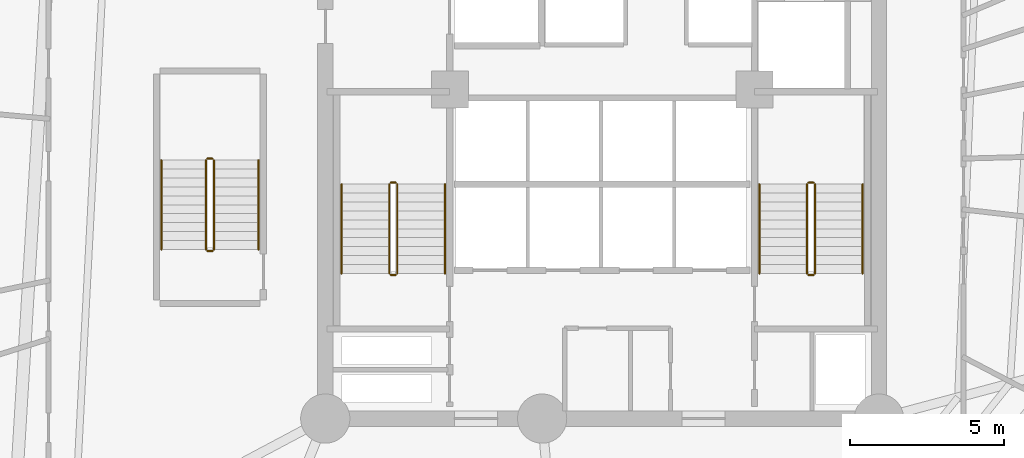
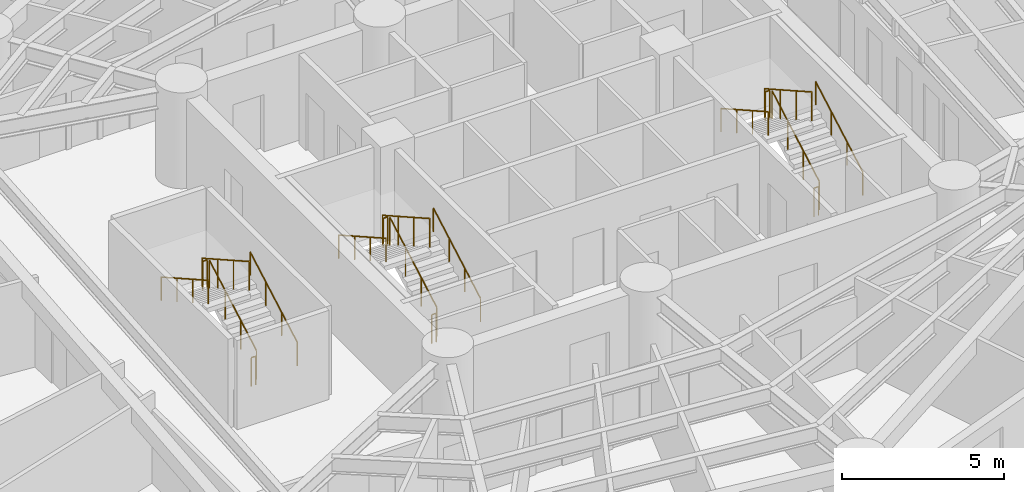
# One storey, part 8 of 8: 18 railings.
"""IFC4 building model written with IfcOpenShell, lengths in metres."""

from ifc_helpers import new_model, si_unit, direction, frame, origin, origin_2d, place, context, subcontext, project, spatial, circle, extrude, material, layer, layer_set, type_object, element, save


model = new_model("IFC4")

# Units and contexts
model_context = context("Model", 3, precision=1e-05, world=origin(), true_north=direction((0.0, 1.0)))
body_context = subcontext(model_context, "Body", "Model", "MODEL_VIEW")
ifc_project = project(units=[si_unit("LENGTHUNIT", "METRE"), si_unit("AREAUNIT", "SQUARE_METRE"), si_unit("VOLUMEUNIT", "CUBIC_METRE"), si_unit("PLANEANGLEUNIT", "RADIAN"), si_unit("MASSUNIT", "GRAM", prefix="KILO")], contexts=[model_context])

# Site, building, storey
site_placement = place(None, origin())
site = spatial("IfcSite", under=ifc_project, at=site_placement, CompositionType="ELEMENT")
building_placement = place(site_placement, origin())
building = spatial("IfcBuilding", under=site, at=building_placement, Name="Karkom Vertical University and Central Library", CompositionType="ELEMENT")
storey_placement = place(building_placement, frame((0.0, 0.0, 37.300048828125)))
storey = spatial("IfcBuildingStorey", under=building, at=storey_placement, Name="L09", CompositionType="ELEMENT", Elevation=37.300048828125)

# Railings
ifc_material_1 = material(Name="Painted galvanised steel balustrade", Category="steel")
ifc_layer_1 = layer(ifc_material_1, 0.06005859375)
ifc_layer_set_1 = layer_set([ifc_layer_1], Name="Painted galvanised steel balustrade")
railing_type_1 = type_object("IfcRailingType", Name="INT-RL-GUARD1100", PredefinedType="GUARDRAIL", material=ifc_layer_set_1)
railing_1_placement = place(storey_placement, frame((21.840087890625, 23.02001953125, 0.16357421875)))
element("IfcRailing", 1, at=railing_1_placement, inside=storey, type_object=railing_type_1, Name="Level 09 ST-1 stair guard 1", PredefinedType="GUARDRAIL", context=body_context, shape_type="SweptSolid", body=[
    extrude(circle(Radius=0.02392578125, at=origin_2d()), frame((0.0, 0.0, 1.076171875), z_axis=(0.0, 0.870897200241, 0.491465224214), x_axis=(-1.0, 0.0, 0.0)), (0.0, 0.0, 1.0), 3.329833984375),
    extrude(circle(Radius=0.02099609375, at=origin_2d()), origin(), (0.0, 0.0, 1.0), 1.052001953125),
    extrude(circle(Radius=0.02099609375, at=origin_2d()), frame((0.0, 0.966552734375, 0.54541015625)), (0.0, 0.0, 1.0), 1.052001953125),
    extrude(circle(Radius=0.02099609375, at=origin_2d()), frame((0.0, 1.933349609375, 1.091064453125)), (0.0, 0.0, 1.0), 1.052001953125),
    extrude(circle(Radius=0.02099609375, at=origin_2d()), frame((0.0, 2.89990234375, 1.636474609375)), (0.0, 0.0, 1.0), 1.052001953125),
])
railing_2_placement = place(storey_placement, frame((21.7900390625, 25.969970703125, 1.800048828125)))
element("IfcRailing", 2, at=railing_2_placement, inside=storey, type_object=railing_type_1, Name="Level 09 ST-1 stair guard 2", PredefinedType="GUARDRAIL", context=body_context, shape_type="SweptSolid", body=[
    extrude(circle(Radius=0.02392578125, at=origin_2d()), frame((0.0, 0.0, 1.076171875), z_axis=(-1.0, 0.0, 0.0), x_axis=(0.0, -1.0, 0.0)), (0.0, 0.0, 1.0), 0.16015625),
    extrude(circle(Radius=0.02099609375, at=origin_2d()), origin(), (0.0, 0.0, 1.0), 1.052001953125),
    extrude(circle(Radius=0.02099609375, at=origin_2d()), frame((-0.16015625, 0.0, 0.0)), (0.0, 0.0, 1.0), 1.052001953125),
])
railing_3_placement = place(storey_placement, frame((21.580078125, 25.919921875, 1.963623046875)))
element("IfcRailing", 3, at=railing_3_placement, inside=storey, type_object=railing_type_1, Name="Level 09 ST-1 stair guard 3", PredefinedType="GUARDRAIL", context=body_context, shape_type="SweptSolid", body=[
    extrude(circle(Radius=0.02392578125, at=origin_2d()), frame((0.0, 0.0, 1.076171875), z_axis=(0.0, -0.870928581787, 0.491409610636), x_axis=(1.0, 0.0, 0.0)), (0.0, 0.0, 1.0), 3.32958984375),
    extrude(circle(Radius=0.02099609375, at=origin_2d()), origin(), (0.0, 0.0, 1.0), 1.052001953125),
    extrude(circle(Radius=0.02099609375, at=origin_2d()), frame((0.0, -0.966552734375, 0.54541015625)), (0.0, 0.0, 1.0), 1.052001953125),
    extrude(circle(Radius=0.02099609375, at=origin_2d()), frame((0.0, -1.933349609375, 1.0908203125)), (0.0, 0.0, 1.0), 1.052001953125),
    extrude(circle(Radius=0.02099609375, at=origin_2d()), frame((0.0, -2.89990234375, 1.63623046875)), (0.0, 0.0, 1.0), 1.052001953125),
])
railing_4_placement = place(storey_placement, frame((21.7900390625, 22.969970703125, 0.0)))
element("IfcRailing", 4, at=railing_4_placement, inside=storey, type_object=railing_type_1, Name="Level 09 ST-1 stair guard 4", PredefinedType="GUARDRAIL", context=body_context, shape_type="SweptSolid", body=[
    extrude(circle(Radius=0.02392578125, at=origin_2d()), frame((0.0, 0.0, 1.076171875), z_axis=(-1.0, 0.0, 0.0), x_axis=(0.0, -1.0, 0.0)), (0.0, 0.0, 1.0), 0.16015625),
    extrude(circle(Radius=0.02099609375, at=origin_2d()), origin(), (0.0, 0.0, 1.0), 1.052001953125),
    extrude(circle(Radius=0.02099609375, at=origin_2d()), frame((-0.16015625, 0.0, 0.0)), (0.0, 0.0, 1.0), 1.052001953125),
])
railing_5_placement = place(storey_placement, frame((35.419921875, 23.02001953125, 0.16357421875)))
element("IfcRailing", 5, at=railing_5_placement, inside=storey, type_object=railing_type_1, Name="Level 09 ST-2 stair guard 1", PredefinedType="GUARDRAIL", context=body_context, shape_type="SweptSolid", body=[
    extrude(circle(Radius=0.02392578125, at=origin_2d()), frame((0.0, 0.0, 1.076171875), z_axis=(0.0, 0.870897200241, 0.491465224214), x_axis=(-1.0, 0.0, 0.0)), (0.0, 0.0, 1.0), 3.329833984375),
    extrude(circle(Radius=0.02099609375, at=origin_2d()), origin(), (0.0, 0.0, 1.0), 1.052001953125),
    extrude(circle(Radius=0.02099609375, at=origin_2d()), frame((0.0, 0.966552734375, 0.54541015625)), (0.0, 0.0, 1.0), 1.052001953125),
    extrude(circle(Radius=0.02099609375, at=origin_2d()), frame((0.0, 1.933349609375, 1.091064453125)), (0.0, 0.0, 1.0), 1.052001953125),
    extrude(circle(Radius=0.02099609375, at=origin_2d()), frame((0.0, 2.89990234375, 1.636474609375)), (0.0, 0.0, 1.0), 1.052001953125),
])
railing_6_placement = place(storey_placement, frame((35.3701171875, 25.969970703125, 1.800048828125)))
element("IfcRailing", 6, at=railing_6_placement, inside=storey, type_object=railing_type_1, Name="Level 09 ST-2 stair guard 2", PredefinedType="GUARDRAIL", context=body_context, shape_type="SweptSolid", body=[
    extrude(circle(Radius=0.02392578125, at=origin_2d()), frame((0.0, 0.0, 1.076171875), z_axis=(-1.0, 0.0, 0.0), x_axis=(0.0, -1.0, 0.0)), (0.0, 0.0, 1.0), 0.16015625),
    extrude(circle(Radius=0.02099609375, at=origin_2d()), origin(), (0.0, 0.0, 1.0), 1.052001953125),
    extrude(circle(Radius=0.02099609375, at=origin_2d()), frame((-0.16015625, 0.0, 0.0)), (0.0, 0.0, 1.0), 1.052001953125),
])
railing_7_placement = place(storey_placement, frame((35.159912109375, 25.919921875, 1.963623046875)))
element("IfcRailing", 7, at=railing_7_placement, inside=storey, type_object=railing_type_1, Name="Level 09 ST-2 stair guard 3", PredefinedType="GUARDRAIL", context=body_context, shape_type="SweptSolid", body=[
    extrude(circle(Radius=0.02392578125, at=origin_2d()), frame((0.0, 0.0, 1.076171875), z_axis=(0.0, -0.870928581787, 0.491409610636), x_axis=(1.0, 0.0, 0.0)), (0.0, 0.0, 1.0), 3.32958984375),
    extrude(circle(Radius=0.02099609375, at=origin_2d()), origin(), (0.0, 0.0, 1.0), 1.052001953125),
    extrude(circle(Radius=0.02099609375, at=origin_2d()), frame((0.0, -0.966552734375, 0.54541015625)), (0.0, 0.0, 1.0), 1.052001953125),
    extrude(circle(Radius=0.02099609375, at=origin_2d()), frame((0.0, -1.933349609375, 1.0908203125)), (0.0, 0.0, 1.0), 1.052001953125),
    extrude(circle(Radius=0.02099609375, at=origin_2d()), frame((0.0, -2.89990234375, 1.63623046875)), (0.0, 0.0, 1.0), 1.052001953125),
])
railing_8_placement = place(storey_placement, frame((35.3701171875, 22.969970703125, 0.0)))
element("IfcRailing", 8, at=railing_8_placement, inside=storey, type_object=railing_type_1, Name="Level 09 ST-2 stair guard 4", PredefinedType="GUARDRAIL", context=body_context, shape_type="SweptSolid", body=[
    extrude(circle(Radius=0.02392578125, at=origin_2d()), frame((0.0, 0.0, 1.076171875), z_axis=(-1.0, 0.0, 0.0), x_axis=(0.0, -1.0, 0.0)), (0.0, 0.0, 1.0), 0.16015625),
    extrude(circle(Radius=0.02099609375, at=origin_2d()), origin(), (0.0, 0.0, 1.0), 1.052001953125),
    extrude(circle(Radius=0.02099609375, at=origin_2d()), frame((-0.16015625, 0.0, 0.0)), (0.0, 0.0, 1.0), 1.052001953125),
])
railing_9_placement = place(storey_placement, frame((15.8798828125, 23.800048828125, 0.16357421875)))
element("IfcRailing", 9, at=railing_9_placement, inside=storey, type_object=railing_type_1, Name="Level 09 ST-3 stair guard 1", PredefinedType="GUARDRAIL", context=body_context, shape_type="SweptSolid", body=[
    extrude(circle(Radius=0.02392578125, at=origin_2d()), frame((0.0, 0.0, 1.076171875), z_axis=(0.0, 0.870897200241, 0.491465224214), x_axis=(-1.0, 0.0, 0.0)), (0.0, 0.0, 1.0), 3.329833984375),
    extrude(circle(Radius=0.02099609375, at=origin_2d()), origin(), (0.0, 0.0, 1.0), 1.052001953125),
    extrude(circle(Radius=0.02099609375, at=origin_2d()), frame((0.0, 0.966552734375, 0.54541015625)), (0.0, 0.0, 1.0), 1.052001953125),
    extrude(circle(Radius=0.02099609375, at=origin_2d()), frame((0.0, 1.933349609375, 1.091064453125)), (0.0, 0.0, 1.0), 1.052001953125),
    extrude(circle(Radius=0.02099609375, at=origin_2d()), frame((0.0, 2.89990234375, 1.636474609375)), (0.0, 0.0, 1.0), 1.052001953125),
])
railing_10_placement = place(storey_placement, frame((15.830078125, 26.75, 1.800048828125)))
element("IfcRailing", 10, at=railing_10_placement, inside=storey, type_object=railing_type_1, Name="Level 09 ST-3 stair guard 2", PredefinedType="GUARDRAIL", context=body_context, shape_type="SweptSolid", body=[
    extrude(circle(Radius=0.02392578125, at=origin_2d()), frame((0.0, 0.0, 1.076171875), z_axis=(-1.0, 0.0, 0.0), x_axis=(0.0, -1.0, 0.0)), (0.0, 0.0, 1.0), 0.16015625),
    extrude(circle(Radius=0.02099609375, at=origin_2d()), origin(), (0.0, 0.0, 1.0), 1.052001953125),
    extrude(circle(Radius=0.02099609375, at=origin_2d()), frame((-0.16015625, 0.0, 0.0)), (0.0, 0.0, 1.0), 1.052001953125),
])
railing_11_placement = place(storey_placement, frame((15.6201171875, 26.699951171875, 1.963623046875)))
element("IfcRailing", 11, at=railing_11_placement, inside=storey, type_object=railing_type_1, Name="Level 09 ST-3 stair guard 3", PredefinedType="GUARDRAIL", context=body_context, shape_type="SweptSolid", body=[
    extrude(circle(Radius=0.02392578125, at=origin_2d()), frame((0.0, 0.0, 1.076171875), z_axis=(0.0, -0.870928581787, 0.491409610636), x_axis=(1.0, 0.0, 0.0)), (0.0, 0.0, 1.0), 3.32958984375),
    extrude(circle(Radius=0.02099609375, at=origin_2d()), origin(), (0.0, 0.0, 1.0), 1.052001953125),
    extrude(circle(Radius=0.02099609375, at=origin_2d()), frame((0.0, -0.966552734375, 0.54541015625)), (0.0, 0.0, 1.0), 1.052001953125),
    extrude(circle(Radius=0.02099609375, at=origin_2d()), frame((0.0, -1.933349609375, 1.0908203125)), (0.0, 0.0, 1.0), 1.052001953125),
    extrude(circle(Radius=0.02099609375, at=origin_2d()), frame((0.0, -2.89990234375, 1.63623046875)), (0.0, 0.0, 1.0), 1.052001953125),
])
railing_12_placement = place(storey_placement, frame((15.830078125, 23.75, 0.0)))
element("IfcRailing", 12, at=railing_12_placement, inside=storey, type_object=railing_type_1, Name="Level 09 ST-3 stair guard 4", PredefinedType="GUARDRAIL", context=body_context, shape_type="SweptSolid", body=[
    extrude(circle(Radius=0.02392578125, at=origin_2d()), frame((0.0, 0.0, 1.076171875), z_axis=(-1.0, 0.0, 0.0), x_axis=(0.0, -1.0, 0.0)), (0.0, 0.0, 1.0), 0.16015625),
    extrude(circle(Radius=0.02099609375, at=origin_2d()), origin(), (0.0, 0.0, 1.0), 1.052001953125),
    extrude(circle(Radius=0.02099609375, at=origin_2d()), frame((-0.16015625, 0.0, 0.0)), (0.0, 0.0, 1.0), 1.052001953125),
])
ifc_material_2 = material(Name="Brushed stainless-steel tubular handrail", Category="steel")
ifc_layer_2 = layer(ifc_material_2, 0.048095703125)
ifc_layer_set_2 = layer_set([ifc_layer_2], Name="Brushed stainless-steel tubular handrail")
railing_type_2 = type_object("IfcRailingType", Name="INT-RL-HAND920", PredefinedType="HANDRAIL", material=ifc_layer_set_2)
railing_13_placement = place(storey_placement, frame((23.389892578125, 23.02001953125, 0.16357421875)))
element("IfcRailing", 13, at=railing_13_placement, inside=storey, type_object=railing_type_2, Name="Level 09 ST-1 stair handrail 1", PredefinedType="HANDRAIL", context=body_context, shape_type="SweptSolid", body=[
    extrude(circle(Radius=0.02392578125, at=origin_2d()), frame((0.0, 0.0, 0.8759765625), z_axis=(0.0, 0.870897200241, 0.491465224214), x_axis=(-1.0, 0.0, 0.0)), (0.0, 0.0, 1.0), 3.329833984375),
    extrude(circle(Radius=0.02099609375, at=origin_2d()), origin(), (0.0, 0.0, 1.0), 0.851806640625),
    extrude(circle(Radius=0.02099609375, at=origin_2d()), frame((0.0, 0.966552734375, 0.54541015625)), (0.0, 0.0, 1.0), 0.851806640625),
    extrude(circle(Radius=0.02099609375, at=origin_2d()), frame((0.0, 1.933349609375, 1.091064453125)), (0.0, 0.0, 1.0), 0.851806640625),
    extrude(circle(Radius=0.02099609375, at=origin_2d()), frame((0.0, 2.89990234375, 1.636474609375)), (0.0, 0.0, 1.0), 0.851806640625),
])
railing_14_placement = place(storey_placement, frame((20.030029296875, 25.919921875, 1.963623046875)))
element("IfcRailing", 14, at=railing_14_placement, inside=storey, type_object=railing_type_2, Name="Level 09 ST-1 stair handrail 2", PredefinedType="HANDRAIL", context=body_context, shape_type="SweptSolid", body=[
    extrude(circle(Radius=0.02392578125, at=origin_2d()), frame((0.0, 0.0, 0.8759765625), z_axis=(0.0, -0.870928581787, 0.491409610636), x_axis=(1.0, 0.0, 0.0)), (0.0, 0.0, 1.0), 3.32958984375),
    extrude(circle(Radius=0.02099609375, at=origin_2d()), origin(), (0.0, 0.0, 1.0), 0.851806640625),
    extrude(circle(Radius=0.02099609375, at=origin_2d()), frame((0.0, -0.966552734375, 0.54541015625)), (0.0, 0.0, 1.0), 0.851806640625),
    extrude(circle(Radius=0.02099609375, at=origin_2d()), frame((0.0, -1.933349609375, 1.0908203125)), (0.0, 0.0, 1.0), 0.851806640625),
    extrude(circle(Radius=0.02099609375, at=origin_2d()), frame((0.0, -2.89990234375, 1.63623046875)), (0.0, 0.0, 1.0), 0.851806640625),
])
railing_15_placement = place(storey_placement, frame((36.969970703125, 23.02001953125, 0.16357421875)))
element("IfcRailing", 15, at=railing_15_placement, inside=storey, type_object=railing_type_2, Name="Level 09 ST-2 stair handrail 1", PredefinedType="HANDRAIL", context=body_context, shape_type="SweptSolid", body=[
    extrude(circle(Radius=0.02392578125, at=origin_2d()), frame((0.0, 0.0, 0.8759765625), z_axis=(0.0, 0.870897200241, 0.491465224214), x_axis=(-1.0, 0.0, 0.0)), (0.0, 0.0, 1.0), 3.329833984375),
    extrude(circle(Radius=0.02099609375, at=origin_2d()), origin(), (0.0, 0.0, 1.0), 0.851806640625),
    extrude(circle(Radius=0.02099609375, at=origin_2d()), frame((0.0, 0.966552734375, 0.54541015625)), (0.0, 0.0, 1.0), 0.851806640625),
    extrude(circle(Radius=0.02099609375, at=origin_2d()), frame((0.0, 1.933349609375, 1.091064453125)), (0.0, 0.0, 1.0), 0.851806640625),
    extrude(circle(Radius=0.02099609375, at=origin_2d()), frame((0.0, 2.89990234375, 1.636474609375)), (0.0, 0.0, 1.0), 0.851806640625),
])
railing_16_placement = place(storey_placement, frame((33.610107421875, 25.919921875, 1.963623046875)))
element("IfcRailing", 16, at=railing_16_placement, inside=storey, type_object=railing_type_2, Name="Level 09 ST-2 stair handrail 2", PredefinedType="HANDRAIL", context=body_context, shape_type="SweptSolid", body=[
    extrude(circle(Radius=0.02392578125, at=origin_2d()), frame((0.0, 0.0, 0.8759765625), z_axis=(0.0, -0.870928581787, 0.491409610636), x_axis=(1.0, 0.0, 0.0)), (0.0, 0.0, 1.0), 3.32958984375),
    extrude(circle(Radius=0.02099609375, at=origin_2d()), origin(), (0.0, 0.0, 1.0), 0.851806640625),
    extrude(circle(Radius=0.02099609375, at=origin_2d()), frame((0.0, -0.966552734375, 0.54541015625)), (0.0, 0.0, 1.0), 0.851806640625),
    extrude(circle(Radius=0.02099609375, at=origin_2d()), frame((0.0, -1.933349609375, 1.0908203125)), (0.0, 0.0, 1.0), 0.851806640625),
    extrude(circle(Radius=0.02099609375, at=origin_2d()), frame((0.0, -2.89990234375, 1.63623046875)), (0.0, 0.0, 1.0), 0.851806640625),
])
railing_17_placement = place(storey_placement, frame((17.330078125, 23.800048828125, 0.16357421875)))
element("IfcRailing", 17, at=railing_17_placement, inside=storey, type_object=railing_type_2, Name="Level 09 ST-3 stair handrail 1", PredefinedType="HANDRAIL", context=body_context, shape_type="SweptSolid", body=[
    extrude(circle(Radius=0.02392578125, at=origin_2d()), frame((0.0, 0.0, 0.8759765625), z_axis=(0.0, 0.870897200241, 0.491465224214), x_axis=(-1.0, 0.0, 0.0)), (0.0, 0.0, 1.0), 3.329833984375),
    extrude(circle(Radius=0.02099609375, at=origin_2d()), origin(), (0.0, 0.0, 1.0), 0.851806640625),
    extrude(circle(Radius=0.02099609375, at=origin_2d()), frame((0.0, 0.966552734375, 0.54541015625)), (0.0, 0.0, 1.0), 0.851806640625),
    extrude(circle(Radius=0.02099609375, at=origin_2d()), frame((0.0, 1.933349609375, 1.091064453125)), (0.0, 0.0, 1.0), 0.851806640625),
    extrude(circle(Radius=0.02099609375, at=origin_2d()), frame((0.0, 2.89990234375, 1.636474609375)), (0.0, 0.0, 1.0), 0.851806640625),
])
railing_18_placement = place(storey_placement, frame((14.169921875, 26.699951171875, 1.963623046875)))
element("IfcRailing", 18, at=railing_18_placement, inside=storey, type_object=railing_type_2, Name="Level 09 ST-3 stair handrail 2", PredefinedType="HANDRAIL", context=body_context, shape_type="SweptSolid", body=[
    extrude(circle(Radius=0.02392578125, at=origin_2d()), frame((0.0, 0.0, 0.8759765625), z_axis=(0.0, -0.870928581787, 0.491409610636), x_axis=(1.0, 0.0, 0.0)), (0.0, 0.0, 1.0), 3.32958984375),
    extrude(circle(Radius=0.02099609375, at=origin_2d()), origin(), (0.0, 0.0, 1.0), 0.851806640625),
    extrude(circle(Radius=0.02099609375, at=origin_2d()), frame((0.0, -0.966552734375, 0.54541015625)), (0.0, 0.0, 1.0), 0.851806640625),
    extrude(circle(Radius=0.02099609375, at=origin_2d()), frame((0.0, -1.933349609375, 1.0908203125)), (0.0, 0.0, 1.0), 0.851806640625),
    extrude(circle(Radius=0.02099609375, at=origin_2d()), frame((0.0, -2.89990234375, 1.63623046875)), (0.0, 0.0, 1.0), 0.851806640625),
])

save(model, "model.ifc")
